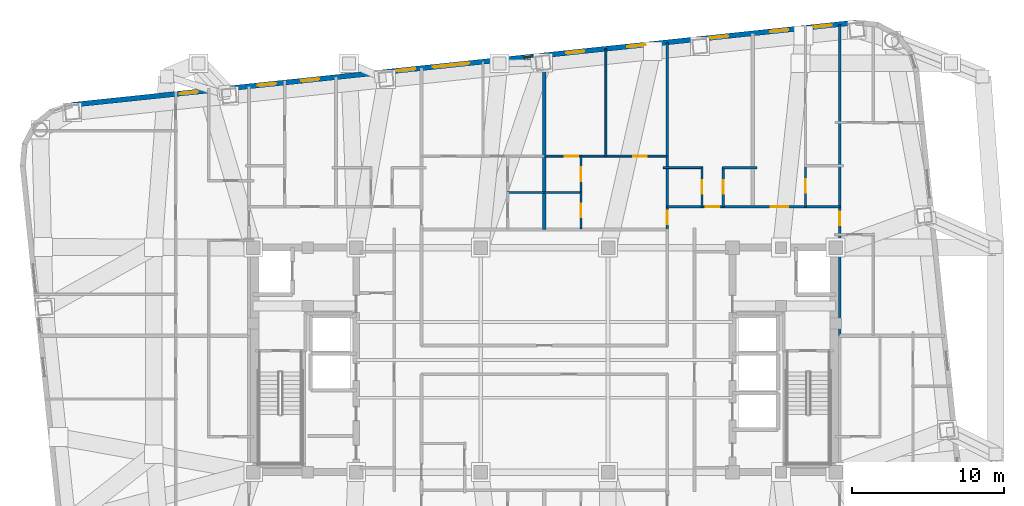
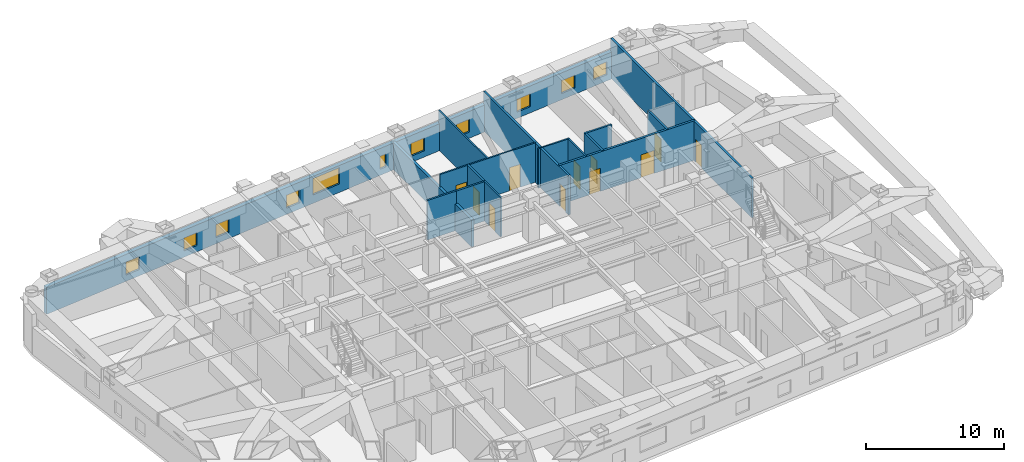
# One storey, part 10 of 13: 16 walls, 11 doors, 11 windows, 22 openings.
"""IFC4 building model written with IfcOpenShell, lengths in metres."""

from ifc_helpers import new_model, si_unit, direction, frame, frame_2d, origin, place, context, subcontext, project, spatial, rectangle, extrude, material, layer, layer_set, type_object, element, fill, save


model = new_model("IFC4")

# Units and contexts
model_context = context("Model", 3, precision=1e-05, world=origin(), true_north=direction((0.0, 1.0)))
body_context = subcontext(model_context, "Body", "Model", "MODEL_VIEW")
ifc_project = project(units=[si_unit("LENGTHUNIT", "METRE"), si_unit("AREAUNIT", "SQUARE_METRE"), si_unit("VOLUMEUNIT", "CUBIC_METRE"), si_unit("PLANEANGLEUNIT", "RADIAN"), si_unit("MASSUNIT", "GRAM", prefix="KILO")], contexts=[model_context])

# Site, building, storey
site_placement = place(None, origin())
site = spatial("IfcSite", under=ifc_project, at=site_placement, CompositionType="ELEMENT")
building_placement = place(site_placement, origin())
building = spatial("IfcBuilding", under=site, at=building_placement, Name="Voryun Gate Residences", CompositionType="ELEMENT")
storey_placement = place(building_placement, frame((0.0, 0.0, 191.10009765625)))
storey = spatial("IfcBuildingStorey", under=building, at=storey_placement, Name="L47", CompositionType="ELEMENT", Elevation=191.10009765625)

# Wall, openings, doors
ifc_material_1 = material(Name="Gypsum acoustic fireboard")
ifc_layer_1 = layer(ifc_material_1, 0.179931640625, Name="W_CORR_RATED_180")
ifc_layer_set_1 = layer_set([ifc_layer_1], Name="Gypsum acoustic fireboard")
wall_type_1 = type_object("IfcWallType", Name="W_CORR_RATED_180", PredefinedType="PARTITIONING", material=ifc_layer_set_1)
wall_1_placement = place(storey_placement, frame((8.080078125, 10.10009765625, 0.0), z_axis=(0.0, 0.0, 1.0), x_axis=(1.0, 0.0, 0.0)))
wall_1 = element("IfcWall", 1, at=wall_1_placement, inside=storey, type_object=wall_type_1, Name="Partition wall WP-L47-NCORR-E", PredefinedType="PARTITIONING", context=body_context, shape_type="SweptSolid", body=[
    extrude(rectangle(XDim=11.419921875, YDim=0.179931640625, at=frame_2d((5.7099609375, 0.0))), origin(), (0.0, 0.0, 1.0), 3.5),
])
opening_1_placement = place(wall_1_placement, frame((2.5625, 0.0, 0.0)))
opening_1 = element("IfcOpeningElement", 2, at=opening_1_placement, cuts=wall_1, Name="Opening D-INT-2", PredefinedType="OPENING", context=body_context, shape_type="SweptSolid", body=[
    extrude(rectangle(XDim=0.89990234375, YDim=2.050048828125, at=frame_2d((0.449951171875, 1.02490234375))), frame((0.0, 0.099853515625, 0.0), z_axis=(0.0, -1.0, 0.0), x_axis=(1.0, 0.0, 0.0)), (0.0, 0.0, 1.0), 0.199951171875),
])
opening_2_placement = place(wall_1_placement, frame((6.8525390625, 0.0, 0.0)))
opening_2 = element("IfcOpeningElement", 3, at=opening_2_placement, cuts=wall_1, Name="Opening D-UNIT-1", PredefinedType="OPENING", context=body_context, shape_type="SweptSolid", body=[
    extrude(rectangle(XDim=1.14990234375, YDim=2.050048828125, at=frame_2d((0.574951171875, 1.02490234375))), frame((0.0, 0.099853515625, 0.0), z_axis=(0.0, -1.0, 0.0), x_axis=(1.0, 0.0, 0.0)), (0.0, 0.0, 1.0), 0.199951171875),
])
ifc_material_2 = material(Name="Architectural oak veneer")
door_type_1 = type_object("IfcDoorType", Name="DR_INT_BATH_900", OperationType="NOTDEFINED", PredefinedType="DOOR", material=ifc_material_2)
door_1_placement = place(opening_1_placement, origin())
door_1 = element("IfcDoor", 4, at=door_1_placement, inside=storey, type_object=door_type_1, Name="Door DR-L47-NENT-4", OperationType="SINGLE_SWING_RIGHT", OverallHeight=2.050048828125, OverallWidth=0.89990234375, PredefinedType="DOOR", context=body_context, shape_type="SweptSolid", body=[
    extrude(rectangle(XDim=0.89990234375, YDim=2.050048828125, at=frame_2d((0.449951171875, 1.02490234375))), frame((0.0, 0.02490234375, 0.0), z_axis=(0.0, -1.0, 0.0), x_axis=(1.0, 0.0, 0.0)), (0.0, 0.0, 1.0), 0.050048828125),
])
fill(opening_1, door_1)
ifc_material_3 = material(Name="Armoured timber-clad fire door", Category="wood")
door_type_2 = type_object("IfcDoorType", Name="DR_UNIT_ENTRY_1150", OperationType="NOTDEFINED", PredefinedType="DOOR", material=ifc_material_3)
door_2_placement = place(opening_2_placement, origin())
door_2 = element("IfcDoor", 5, at=door_2_placement, inside=storey, type_object=door_type_2, Name="Door DR-L47-NENT-5", OperationType="SINGLE_SWING_LEFT", OverallHeight=2.050048828125, OverallWidth=1.14990234375, PredefinedType="DOOR", context=body_context, shape_type="SweptSolid", body=[
    extrude(rectangle(XDim=1.14990234375, YDim=2.050048828125, at=frame_2d((0.574951171875, 1.02490234375))), frame((0.0, 0.02490234375, 0.0), z_axis=(0.0, -1.0, 0.0), x_axis=(1.0, 0.0, 0.0)), (0.0, 0.0, 1.0), 0.050048828125),
])
fill(opening_2, door_2)

# Wall, opening, door
wall_2_placement = place(storey_placement, frame((8.10009765625, 8.590087890625, 0.0), z_axis=(0.0, 0.0, 1.0), x_axis=(0.0, 1.0, 0.0)))
wall_2 = element("IfcWall", 6, at=wall_2_placement, inside=storey, type_object=wall_type_1, Name="Partition wall WP-L47-NZV-2", PredefinedType="PARTITIONING", context=body_context, shape_type="SweptSolid", body=[
    extrude(rectangle(XDim=12.339111328125, YDim=0.179931640625, at=frame_2d((6.16943359375, 0.0))), origin(), (0.0, 0.0, 1.0), 3.5),
])
opening_3_placement = place(wall_2_placement, frame((0.349609375, 0.0, 0.0)))
opening_3 = element("IfcOpeningElement", 7, at=opening_3_placement, cuts=wall_2, Name="Opening D-INT-2", PredefinedType="OPENING", context=body_context, shape_type="SweptSolid", body=[
    extrude(rectangle(XDim=0.89990234375, YDim=2.050048828125, at=frame_2d((0.449951171875, 1.02490234375))), frame((0.0, 0.099853515625, 0.0), z_axis=(0.0, -1.0, 0.0), x_axis=(1.0, 0.0, 0.0)), (0.0, 0.0, 1.0), 0.199951171875),
])
door_3_placement = place(opening_3_placement, origin())
door_3 = element("IfcDoor", 8, at=door_3_placement, inside=storey, type_object=door_type_1, Name="Door DR-L47-NZENT-2", OperationType="SINGLE_SWING_RIGHT", OverallHeight=2.050048828125, OverallWidth=0.89990234375, PredefinedType="DOOR", context=body_context, shape_type="SweptSolid", body=[
    extrude(rectangle(XDim=0.89990234375, YDim=2.050048828125, at=frame_2d((0.449951171875, 1.02490234375))), frame((0.0, 0.02490234375, 0.0), z_axis=(0.0, -1.0, 0.0), x_axis=(1.0, 0.0, 0.0)), (0.0, 0.0, 1.0), 0.050048828125),
])
fill(opening_3, door_3)

wall_3_placement = place(storey_placement, frame((19.469970703125, 1.60009765625, 0.0), z_axis=(0.0, 0.0, 1.0), x_axis=(0.0, 1.0, 0.0)))
wall_3 = element("IfcWall", 9, at=wall_3_placement, inside=storey, type_object=wall_type_1, Name="Partition wall WP-L47-ECOR2", PredefinedType="PARTITIONING", context=body_context, shape_type="SweptSolid", body=[
    extrude(rectangle(XDim=20.52392578125, YDim=0.179931640625, at=frame_2d((10.261962890625, 0.0))), origin(), (0.0, 0.0, 1.0), 3.5),
])
opening_4_placement = place(wall_3_placement, frame((7.279296875, 0.0, 0.0)))
opening_4 = element("IfcOpeningElement", 10, at=opening_4_placement, cuts=wall_3, Name="Opening D-INT-2", PredefinedType="OPENING", context=body_context, shape_type="SweptSolid", body=[
    extrude(rectangle(XDim=0.89990234375, YDim=2.050048828125, at=frame_2d((0.449951171875, 1.02490234375))), frame((0.0, 0.099853515625, 0.0), z_axis=(0.0, -1.0, 0.0), x_axis=(1.0, 0.0, 0.0)), (0.0, 0.0, 1.0), 0.199951171875),
])
door_4_placement = place(opening_4_placement, origin())
door_4 = element("IfcDoor", 11, at=door_4_placement, inside=storey, type_object=door_type_1, Name="Door DR-L47-EE2", OperationType="SINGLE_SWING_RIGHT", OverallHeight=2.050048828125, OverallWidth=0.89990234375, PredefinedType="DOOR", context=body_context, shape_type="SweptSolid", body=[
    extrude(rectangle(XDim=0.89990234375, YDim=2.050048828125, at=frame_2d((0.449951171875, 1.02490234375))), frame((0.0, 0.02490234375, 0.0), z_axis=(0.0, -1.0, 0.0), x_axis=(1.0, 0.0, 0.0)), (0.0, 0.0, 1.0), 0.050048828125),
])
fill(opening_4, door_4)

# Wall, openings, windows
ifc_material_4 = material(Name="Charcoal terracotta masonry", Category="masonry")
ifc_layer_2 = layer(ifc_material_4, 0.340087890625, Name="W_EXT_TERRACOTTA_340")
ifc_layer_set_2 = layer_set([ifc_layer_2], Name="Charcoal terracotta masonry")
wall_type_2 = type_object("IfcWallType", Name="W_EXT_TERRACOTTA_340", PredefinedType="ELEMENTEDWALL", material=ifc_layer_set_2)
wall_4_placement = place(storey_placement, frame((-31.155517578125, 16.80322265625, 0.0), z_axis=(0.0, 0.0, 1.0), x_axis=(0.99452209583, 0.104526555986, 0.0)))
wall_4 = element("IfcWall", 12, at=wall_4_placement, inside=storey, type_object=wall_type_2, Name="Exterior wall WEXT-L47-11", PredefinedType="ELEMENTEDWALL", context=body_context, shape_type="SweptSolid", body=[
    extrude(rectangle(XDim=51.966552734375, YDim=0.340087890625, at=frame_2d((25.9833984375, 0.0))), origin(), (0.0, 0.0, 1.0), 2.389892578125),
])
opening_5_placement = place(wall_4_placement, frame((23.93310546875, 0.0, 0.75)))
opening_5 = element("IfcOpeningElement", 13, at=opening_5_placement, cuts=wall_4, Name="Opening WN2", PredefinedType="OPENING", context=body_context, shape_type="SweptSolid", body=[
    extrude(rectangle(XDim=2.39990234375, YDim=1.449951171875, at=frame_2d((1.199951171875, 0.72509765625))), frame((0.0, 0.179931640625, 0.0), z_axis=(0.0, -1.0, 0.0), x_axis=(1.0, 0.0, 0.0)), (0.0, 0.0, 1.0), 0.360107421875),
])
opening_6_placement = place(wall_4_placement, frame((15.209228515625, 0.0, 0.550048828125)))
opening_6 = element("IfcOpeningElement", 14, at=opening_6_placement, cuts=wall_4, Name="Opening WN6", PredefinedType="OPENING", context=body_context, shape_type="SweptSolid", body=[
    extrude(rectangle(XDim=1.199951171875, YDim=1.14990234375, at=frame_2d((0.60009765625, 0.574951171875))), frame((0.0, 0.179931640625, 0.0), z_axis=(0.0, -1.0, 0.0), x_axis=(1.0, 0.0, 0.0)), (0.0, 0.0, 1.0), 0.360107421875),
])
opening_7_placement = place(wall_4_placement, frame((12.33349609375, 0.0, 0.550048828125)))
opening_7 = element("IfcOpeningElement", 15, at=opening_7_placement, cuts=wall_4, Name="Opening WN6", PredefinedType="OPENING", context=body_context, shape_type="SweptSolid", body=[
    extrude(rectangle(XDim=1.199951171875, YDim=1.14990234375, at=frame_2d((0.60009765625, 0.574951171875))), frame((0.0, 0.179931640625, 0.0), z_axis=(0.0, -1.0, 0.0), x_axis=(1.0, 0.0, 0.0)), (0.0, 0.0, 1.0), 0.360107421875),
])
opening_8_placement = place(wall_4_placement, frame((21.5546875, 0.0, 0.550048828125)))
opening_8 = element("IfcOpeningElement", 16, at=opening_8_placement, cuts=wall_4, Name="Opening WN6", PredefinedType="OPENING", context=body_context, shape_type="SweptSolid", body=[
    extrude(rectangle(XDim=1.199951171875, YDim=1.14990234375, at=frame_2d((0.60009765625, 0.574951171875))), frame((0.0, 0.179931640625, 0.0), z_axis=(0.0, -1.0, 0.0), x_axis=(1.0, 0.0, 0.0)), (0.0, 0.0, 1.0), 0.360107421875),
])
opening_9_placement = place(wall_4_placement, frame((42.294921875, 0.0, 0.550048828125)))
opening_9 = element("IfcOpeningElement", 17, at=opening_9_placement, cuts=wall_4, Name="Opening WN6", PredefinedType="OPENING", context=body_context, shape_type="SweptSolid", body=[
    extrude(rectangle(XDim=1.199951171875, YDim=1.14990234375, at=frame_2d((0.60009765625, 0.574951171875))), frame((0.0, 0.179931640625, 0.0), z_axis=(0.0, -1.0, 0.0), x_axis=(1.0, 0.0, 0.0)), (0.0, 0.0, 1.0), 0.360107421875),
])
opening_10_placement = place(wall_4_placement, frame((46.2880859375, 0.0, 0.550048828125)))
opening_10 = element("IfcOpeningElement", 18, at=opening_10_placement, cuts=wall_4, Name="Opening WN6", PredefinedType="OPENING", context=body_context, shape_type="SweptSolid", body=[
    extrude(rectangle(XDim=1.199951171875, YDim=1.14990234375, at=frame_2d((0.60009765625, 0.574951171875))), frame((0.0, 0.179931640625, 0.0), z_axis=(0.0, -1.0, 0.0), x_axis=(1.0, 0.0, 0.0)), (0.0, 0.0, 1.0), 0.360107421875),
])
opening_11_placement = place(wall_4_placement, frame((49.163818359375, 0.0, 0.550048828125)))
opening_11 = element("IfcOpeningElement", 19, at=opening_11_placement, cuts=wall_4, Name="Opening WN6", PredefinedType="OPENING", context=body_context, shape_type="SweptSolid", body=[
    extrude(rectangle(XDim=1.199951171875, YDim=1.14990234375, at=frame_2d((0.60009765625, 0.574951171875))), frame((0.0, 0.179931640625, 0.0), z_axis=(0.0, -1.0, 0.0), x_axis=(1.0, 0.0, 0.0)), (0.0, 0.0, 1.0), 0.360107421875),
])
opening_12_placement = place(wall_4_placement, frame((29.983642578125, 0.0, 0.550048828125)))
opening_12 = element("IfcOpeningElement", 20, at=opening_12_placement, cuts=wall_4, Name="Opening WN10", PredefinedType="OPENING", context=body_context, shape_type="SweptSolid", body=[
    extrude(rectangle(XDim=0.52001953125, YDim=1.14990234375, at=frame_2d((0.260009765625, 0.574951171875))), frame((0.0, 0.179931640625, 0.0), z_axis=(0.0, -1.0, 0.0), x_axis=(1.0, 0.0, 0.0)), (0.0, 0.0, 1.0), 0.360107421875),
])
opening_13_placement = place(wall_4_placement, frame((32.76611328125, 0.0, 0.550048828125)))
opening_13 = element("IfcOpeningElement", 21, at=opening_13_placement, cuts=wall_4, Name="Opening WN6", PredefinedType="OPENING", context=body_context, shape_type="SweptSolid", body=[
    extrude(rectangle(XDim=1.199951171875, YDim=1.14990234375, at=frame_2d((0.60009765625, 0.574951171875))), frame((0.0, 0.179931640625, 0.0), z_axis=(0.0, -1.0, 0.0), x_axis=(1.0, 0.0, 0.0)), (0.0, 0.0, 1.0), 0.360107421875),
])
opening_14_placement = place(wall_4_placement, frame((36.828369140625, 0.0, 0.550048828125)))
opening_14 = element("IfcOpeningElement", 22, at=opening_14_placement, cuts=wall_4, Name="Opening WN6", PredefinedType="OPENING", context=body_context, shape_type="SweptSolid", body=[
    extrude(rectangle(XDim=1.199951171875, YDim=1.14990234375, at=frame_2d((0.60009765625, 0.574951171875))), frame((0.0, 0.179931640625, 0.0), z_axis=(0.0, -1.0, 0.0), x_axis=(1.0, 0.0, 0.0)), (0.0, 0.0, 1.0), 0.360107421875),
])
opening_15_placement = place(wall_4_placement, frame((7.14697265625, 0.0, 0.550048828125)))
opening_15 = element("IfcOpeningElement", 23, at=opening_15_placement, cuts=wall_4, Name="Opening WN6", PredefinedType="OPENING", context=body_context, shape_type="SweptSolid", body=[
    extrude(rectangle(XDim=1.199951171875, YDim=1.14990234375, at=frame_2d((0.60009765625, 0.574951171875))), frame((0.0, 0.179931640625, 0.0), z_axis=(0.0, -1.0, 0.0), x_axis=(1.0, 0.0, 0.0)), (0.0, 0.0, 1.0), 0.360107421875),
])
ifc_material_5 = material(Name="Laminated low-E glass", Category="glass")
window_type_1 = type_object("IfcWindowType", Name="WN_PAGODA_LANCET_520", PartitioningType="SINGLE_PANEL", PredefinedType="WINDOW", material=ifc_material_5)
window_1_placement = place(opening_12_placement, origin())
window_1 = element("IfcWindow", 24, at=window_1_placement, inside=storey, type_object=window_type_1, Name="Window WN-L47-DWFIX-07", OverallHeight=1.14990234375, OverallWidth=0.52001953125, PartitioningType="SINGLE_PANEL", PredefinedType="WINDOW", context=body_context, shape_type="SweptSolid", body=[
    extrude(rectangle(XDim=0.52001953125, YDim=1.14990234375, at=frame_2d((0.260009765625, 0.574951171875))), frame((0.0, 0.030029296875, 0.0), z_axis=(0.0, -1.0, 0.0), x_axis=(1.0, 0.0, 0.0)), (0.0, 0.0, 1.0), 0.06005859375),
])
fill(opening_12, window_1)
ifc_material_6 = material(Name="Laminated low-E glass", Category="glass")
window_type_2 = type_object("IfcWindowType", Name="WN_POD_SLOT_1200", PartitioningType="SINGLE_PANEL", PredefinedType="WINDOW", material=ifc_material_6)
window_2_placement = place(opening_6_placement, origin())
window_2 = element("IfcWindow", 25, at=window_2_placement, inside=storey, type_object=window_type_2, Name="Window WN-L47-DWFIX-01", OverallHeight=1.14990234375, OverallWidth=1.199951171875, PartitioningType="SINGLE_PANEL", PredefinedType="WINDOW", context=body_context, shape_type="SweptSolid", body=[
    extrude(rectangle(XDim=1.199951171875, YDim=1.14990234375, at=frame_2d((0.60009765625, 0.574951171875))), frame((0.0, 0.030029296875, 0.0), z_axis=(0.0, -1.0, 0.0), x_axis=(1.0, 0.0, 0.0)), (0.0, 0.0, 1.0), 0.06005859375),
])
fill(opening_6, window_2)
window_3_placement = place(opening_7_placement, origin())
window_3 = element("IfcWindow", 26, at=window_3_placement, inside=storey, type_object=window_type_2, Name="Window WN-L47-DWFIX-02", OverallHeight=1.14990234375, OverallWidth=1.199951171875, PartitioningType="SINGLE_PANEL", PredefinedType="WINDOW", context=body_context, shape_type="SweptSolid", body=[
    extrude(rectangle(XDim=1.199951171875, YDim=1.14990234375, at=frame_2d((0.60009765625, 0.574951171875))), frame((0.0, 0.030029296875, 0.0), z_axis=(0.0, -1.0, 0.0), x_axis=(1.0, 0.0, 0.0)), (0.0, 0.0, 1.0), 0.06005859375),
])
fill(opening_7, window_3)
window_4_placement = place(opening_8_placement, origin())
window_4 = element("IfcWindow", 27, at=window_4_placement, inside=storey, type_object=window_type_2, Name="Window WN-L47-DWFIX-03", OverallHeight=1.14990234375, OverallWidth=1.199951171875, PartitioningType="SINGLE_PANEL", PredefinedType="WINDOW", context=body_context, shape_type="SweptSolid", body=[
    extrude(rectangle(XDim=1.199951171875, YDim=1.14990234375, at=frame_2d((0.60009765625, 0.574951171875))), frame((0.0, 0.030029296875, 0.0), z_axis=(0.0, -1.0, 0.0), x_axis=(1.0, 0.0, 0.0)), (0.0, 0.0, 1.0), 0.06005859375),
])
fill(opening_8, window_4)
window_5_placement = place(opening_9_placement, origin())
window_5 = element("IfcWindow", 28, at=window_5_placement, inside=storey, type_object=window_type_2, Name="Window WN-L47-DWFIX-04", OverallHeight=1.14990234375, OverallWidth=1.199951171875, PartitioningType="SINGLE_PANEL", PredefinedType="WINDOW", context=body_context, shape_type="SweptSolid", body=[
    extrude(rectangle(XDim=1.199951171875, YDim=1.14990234375, at=frame_2d((0.60009765625, 0.574951171875))), frame((0.0, 0.030029296875, 0.0), z_axis=(0.0, -1.0, 0.0), x_axis=(1.0, 0.0, 0.0)), (0.0, 0.0, 1.0), 0.06005859375),
])
fill(opening_9, window_5)
window_6_placement = place(opening_10_placement, origin())
window_6 = element("IfcWindow", 29, at=window_6_placement, inside=storey, type_object=window_type_2, Name="Window WN-L47-DWFIX-05", OverallHeight=1.14990234375, OverallWidth=1.199951171875, PartitioningType="SINGLE_PANEL", PredefinedType="WINDOW", context=body_context, shape_type="SweptSolid", body=[
    extrude(rectangle(XDim=1.199951171875, YDim=1.14990234375, at=frame_2d((0.60009765625, 0.574951171875))), frame((0.0, 0.030029296875, 0.0), z_axis=(0.0, -1.0, 0.0), x_axis=(1.0, 0.0, 0.0)), (0.0, 0.0, 1.0), 0.06005859375),
])
fill(opening_10, window_6)
window_7_placement = place(opening_11_placement, origin())
window_7 = element("IfcWindow", 30, at=window_7_placement, inside=storey, type_object=window_type_2, Name="Window WN-L47-DWFIX-06", OverallHeight=1.14990234375, OverallWidth=1.199951171875, PartitioningType="SINGLE_PANEL", PredefinedType="WINDOW", context=body_context, shape_type="SweptSolid", body=[
    extrude(rectangle(XDim=1.199951171875, YDim=1.14990234375, at=frame_2d((0.60009765625, 0.574951171875))), frame((0.0, 0.030029296875, 0.0), z_axis=(0.0, -1.0, 0.0), x_axis=(1.0, 0.0, 0.0)), (0.0, 0.0, 1.0), 0.06005859375),
])
fill(opening_11, window_7)
window_8_placement = place(opening_13_placement, origin())
window_8 = element("IfcWindow", 31, at=window_8_placement, inside=storey, type_object=window_type_2, Name="Window WN-L47-DWFIX-08", OverallHeight=1.14990234375, OverallWidth=1.199951171875, PartitioningType="SINGLE_PANEL", PredefinedType="WINDOW", context=body_context, shape_type="SweptSolid", body=[
    extrude(rectangle(XDim=1.199951171875, YDim=1.14990234375, at=frame_2d((0.60009765625, 0.574951171875))), frame((0.0, 0.030029296875, 0.0), z_axis=(0.0, -1.0, 0.0), x_axis=(1.0, 0.0, 0.0)), (0.0, 0.0, 1.0), 0.06005859375),
])
fill(opening_13, window_8)
window_9_placement = place(opening_14_placement, origin())
window_9 = element("IfcWindow", 32, at=window_9_placement, inside=storey, type_object=window_type_2, Name="Window WN-L47-DWFIX-09", OverallHeight=1.14990234375, OverallWidth=1.199951171875, PartitioningType="SINGLE_PANEL", PredefinedType="WINDOW", context=body_context, shape_type="SweptSolid", body=[
    extrude(rectangle(XDim=1.199951171875, YDim=1.14990234375, at=frame_2d((0.60009765625, 0.574951171875))), frame((0.0, 0.030029296875, 0.0), z_axis=(0.0, -1.0, 0.0), x_axis=(1.0, 0.0, 0.0)), (0.0, 0.0, 1.0), 0.06005859375),
])
fill(opening_14, window_9)
window_10_placement = place(opening_15_placement, origin())
window_10 = element("IfcWindow", 33, at=window_10_placement, inside=storey, type_object=window_type_2, Name="Window WN-L47-DWFIX-23", OverallHeight=1.14990234375, OverallWidth=1.199951171875, PartitioningType="SINGLE_PANEL", PredefinedType="WINDOW", context=body_context, shape_type="SweptSolid", body=[
    extrude(rectangle(XDim=1.199951171875, YDim=1.14990234375, at=frame_2d((0.60009765625, 0.574951171875))), frame((0.0, 0.030029296875, 0.0), z_axis=(0.0, -1.0, 0.0), x_axis=(1.0, 0.0, 0.0)), (0.0, 0.0, 1.0), 0.06005859375),
])
fill(opening_15, window_10)
ifc_material_7 = material(Name="Laminated low-E glass", Category="glass")
window_type_3 = type_object("IfcWindowType", Name="WN_RES_WIDE_2400", PartitioningType="SINGLE_PANEL", PredefinedType="WINDOW", material=ifc_material_7)
window_11_placement = place(opening_5_placement, origin())
window_11 = element("IfcWindow", 34, at=window_11_placement, inside=storey, type_object=window_type_3, Name="Window WN-WEXT-L47-11-02", OverallHeight=1.449951171875, OverallWidth=2.39990234375, PartitioningType="SINGLE_PANEL", PredefinedType="WINDOW", context=body_context, shape_type="SweptSolid", body=[
    extrude(rectangle(XDim=2.39990234375, YDim=1.449951171875, at=frame_2d((1.199951171875, 0.72509765625))), frame((0.0, 0.030029296875, 0.0), z_axis=(0.0, -1.0, 0.0), x_axis=(1.0, 0.0, 0.0)), (0.0, 0.0, 1.0), 0.06005859375),
])
fill(opening_5, window_11)

# Wall
ifc_material_8 = material(Name="Concrete C40/50", Category="concrete")
ifc_layer_3 = layer(ifc_material_8, 0.219970703125, Name="W_PARTY_ACOUSTIC_220")
ifc_layer_set_3 = layer_set([ifc_layer_3], Name="Concrete C40/50")
wall_type_3 = type_object("IfcWallType", Name="W_PARTY_ACOUSTIC_220", PredefinedType="PARTITIONING", material=ifc_layer_set_3)
wall_5_placement = place(storey_placement, frame((0.0, 8.590087890625, 0.0), z_axis=(0.0, 0.0, 1.0), x_axis=(0.0, 1.0, 0.0)))
element("IfcWall", 35, at=wall_5_placement, inside=storey, type_object=wall_type_3, Name="Partition wall WP-L47-NZMID", PredefinedType="PARTITIONING", context=body_context, shape_type="SweptSolid", body=[
    extrude(rectangle(XDim=11.48779296875, YDim=0.219970703125, at=frame_2d((5.743896484375, 0.0))), origin(), (0.0, 0.0, 1.0), 2.389892578125),
])

# Wall, opening, door
ifc_material_9 = material(Name="Gypsum acoustic partition")
ifc_layer_4 = layer(ifc_material_9, 0.125, Name="W_UNIT_PART_125")
ifc_layer_set_4 = layer_set([ifc_layer_4], Name="Gypsum acoustic partition")
wall_type_4 = type_object("IfcWallType", Name="W_UNIT_PART_125", PredefinedType="PARTITIONING", material=ifc_layer_set_4)
wall_6_placement = place(storey_placement, frame((10.389892578125, 10.080078125, 0.0), z_axis=(0.0, 0.0, 1.0), x_axis=(0.0, 1.0, 0.0)))
wall_6 = element("IfcWall", 36, at=wall_6_placement, inside=storey, type_object=wall_type_4, Name="Partition wall WP-L47-N4-CVK", PredefinedType="PARTITIONING", context=body_context, shape_type="SweptSolid", body=[
    extrude(rectangle(XDim=2.64990234375, YDim=0.125, at=frame_2d((1.324951171875, 0.0))), origin(), (0.0, 0.0, 1.0), 3.5),
])
opening_16_placement = place(wall_6_placement, frame((0.875, 0.0, 0.0)))
opening_16 = element("IfcOpeningElement", 37, at=opening_16_placement, cuts=wall_6, Name="Opening D-INT-2", PredefinedType="OPENING", context=body_context, shape_type="SweptSolid", body=[
    extrude(rectangle(XDim=0.89990234375, YDim=2.050048828125, at=frame_2d((0.449951171875, 1.02490234375))), frame((0.0, 0.072509765625, 0.0), z_axis=(0.0, -1.0, 0.0), x_axis=(1.0, 0.0, 0.0)), (0.0, 0.0, 1.0), 0.14501953125),
])
door_5_placement = place(opening_16_placement, origin())
door_5 = element("IfcDoor", 38, at=door_5_placement, inside=storey, type_object=door_type_1, Name="Door DR-L47-N4-DK", OperationType="SINGLE_SWING_LEFT", OverallHeight=2.050048828125, OverallWidth=0.89990234375, PredefinedType="DOOR", context=body_context, shape_type="SweptSolid", body=[
    extrude(rectangle(XDim=0.89990234375, YDim=2.050048828125, at=frame_2d((0.449951171875, 1.02490234375))), frame((0.0, 0.02490234375, 0.0), z_axis=(0.0, -1.0, 0.0), x_axis=(1.0, 0.0, 0.0)), (0.0, 0.0, 1.0), 0.050048828125),
])
fill(opening_16, door_5)

# Wall
wall_7_placement = place(storey_placement, frame((7.820068359375, 12.669921875, 0.0), z_axis=(0.0, 0.0, 1.0), x_axis=(1.0, 0.0, 0.0)))
element("IfcWall", 39, at=wall_7_placement, inside=storey, type_object=wall_type_4, Name="Partition wall WP-L47-N4-CHK", PredefinedType="PARTITIONING", context=body_context, shape_type="SweptSolid", body=[
    extrude(rectangle(XDim=2.6298828125, YDim=0.125, at=frame_2d((1.31494140625, 0.0))), origin(), (0.0, 0.0, 1.0), 3.5),
])

# Wall, openings, doors
wall_8_placement = place(storey_placement, frame((0.02001953125, 13.429931640625, 0.0), z_axis=(0.0, 0.0, 1.0), x_axis=(1.0, 0.0, 0.0)))
wall_8 = element("IfcWall", 40, at=wall_8_placement, inside=storey, type_object=wall_type_4, Name="Partition wall WP-L47-NC2-HZ", PredefinedType="PARTITIONING", context=body_context, shape_type="SweptSolid", body=[
    extrude(rectangle(XDim=8.06005859375, YDim=0.125, at=frame_2d((4.030029296875, 0.0))), origin(), (0.0, 0.0, 1.0), 3.5),
])
opening_17_placement = place(wall_8_placement, frame((1.3232421875, 0.0, 0.0)))
opening_17 = element("IfcOpeningElement", 41, at=opening_17_placement, cuts=wall_8, Name="Opening D-INT-2", PredefinedType="OPENING", context=body_context, shape_type="SweptSolid", body=[
    extrude(rectangle(XDim=0.89990234375, YDim=2.050048828125, at=frame_2d((0.449951171875, 1.02490234375))), frame((0.0, 0.072509765625, 0.0), z_axis=(0.0, -1.0, 0.0), x_axis=(1.0, 0.0, 0.0)), (0.0, 0.0, 1.0), 0.14501953125),
])
opening_18_placement = place(wall_8_placement, frame((5.8369140625, 0.0, 0.0)))
opening_18 = element("IfcOpeningElement", 42, at=opening_18_placement, cuts=wall_8, Name="Opening D-INT-2", PredefinedType="OPENING", context=body_context, shape_type="SweptSolid", body=[
    extrude(rectangle(XDim=0.89990234375, YDim=2.050048828125, at=frame_2d((0.449951171875, 1.02490234375))), frame((0.0, 0.072509765625, 0.0), z_axis=(0.0, -1.0, 0.0), x_axis=(1.0, 0.0, 0.0)), (0.0, 0.0, 1.0), 0.14501953125),
])
door_6_placement = place(opening_17_placement, origin())
door_6 = element("IfcDoor", 43, at=door_6_placement, inside=storey, type_object=door_type_1, Name="Door DR-L47-NC2-DMB", OperationType="SINGLE_SWING_LEFT", OverallHeight=2.050048828125, OverallWidth=0.89990234375, PredefinedType="DOOR", context=body_context, shape_type="SweptSolid", body=[
    extrude(rectangle(XDim=0.89990234375, YDim=2.050048828125, at=frame_2d((0.449951171875, 1.02490234375))), frame((0.0, 0.02490234375, 0.0), z_axis=(0.0, -1.0, 0.0), x_axis=(1.0, 0.0, 0.0)), (0.0, 0.0, 1.0), 0.050048828125),
])
fill(opening_17, door_6)
door_7_placement = place(opening_18_placement, origin())
door_7 = element("IfcDoor", 44, at=door_7_placement, inside=storey, type_object=door_type_1, Name="Door DR-L47-NC2-DBD2", OperationType="SINGLE_SWING_RIGHT", OverallHeight=2.050048828125, OverallWidth=0.89990234375, PredefinedType="DOOR", context=body_context, shape_type="SweptSolid", body=[
    extrude(rectangle(XDim=0.89990234375, YDim=2.050048828125, at=frame_2d((0.449951171875, 1.02490234375))), frame((0.0, 0.02490234375, 0.0), z_axis=(0.0, -1.0, 0.0), x_axis=(1.0, 0.0, 0.0)), (0.0, 0.0, 1.0), 0.050048828125),
])
fill(opening_18, door_7)

# Wall, opening, door
wall_9_placement = place(storey_placement, frame((2.409912109375, 8.64990234375, 0.0), z_axis=(0.0, 0.0, 1.0), x_axis=(0.0, 1.0, 0.0)))
wall_9 = element("IfcWall", 45, at=wall_9_placement, inside=storey, type_object=wall_type_4, Name="Partition wall WP-L47-NC2-VK1", PredefinedType="PARTITIONING", context=body_context, shape_type="SweptSolid", body=[
    extrude(rectangle(XDim=2.41015625, YDim=0.125, at=frame_2d((1.205078125, 0.0))), origin(), (0.0, 0.0, 1.0), 3.5),
])
opening_19_placement = place(wall_9_placement, frame((0.7548828125, 0.0, 0.0)))
opening_19 = element("IfcOpeningElement", 46, at=opening_19_placement, cuts=wall_9, Name="Opening D-INT-2", PredefinedType="OPENING", context=body_context, shape_type="SweptSolid", body=[
    extrude(rectangle(XDim=0.89990234375, YDim=2.050048828125, at=frame_2d((0.449951171875, 1.02490234375))), frame((0.0, 0.072509765625, 0.0), z_axis=(0.0, -1.0, 0.0), x_axis=(1.0, 0.0, 0.0)), (0.0, 0.0, 1.0), 0.14501953125),
])
door_8_placement = place(opening_19_placement, origin())
door_8 = element("IfcDoor", 47, at=door_8_placement, inside=storey, type_object=door_type_1, Name="Door DR-L47-NC2-DK", OperationType="SINGLE_SWING_LEFT", OverallHeight=2.050048828125, OverallWidth=0.89990234375, PredefinedType="DOOR", context=body_context, shape_type="SweptSolid", body=[
    extrude(rectangle(XDim=0.89990234375, YDim=2.050048828125, at=frame_2d((0.449951171875, 1.02490234375))), frame((0.0, 0.02490234375, 0.0), z_axis=(0.0, -1.0, 0.0), x_axis=(1.0, 0.0, 0.0)), (0.0, 0.0, 1.0), 0.050048828125),
])
fill(opening_19, door_8)

# Wall
wall_10_placement = place(storey_placement, frame((4.050048828125, 13.389892578125, 0.0), z_axis=(0.0, 0.0, 1.0), x_axis=(0.0, 1.0, 0.0)))
element("IfcWall", 48, at=wall_10_placement, inside=storey, type_object=wall_type_4, Name="Partition wall WP-L47-NC2-VBD", PredefinedType="PARTITIONING", context=body_context, shape_type="SweptSolid", body=[
    extrude(rectangle(XDim=7.113525390625, YDim=0.125, at=frame_2d((3.556640625, 0.0))), origin(), (0.0, 0.0, 1.0), 3.5),
])

# Wall, opening, door
ifc_material_10 = material(Name="Gypsum moisture-resistant partition")
ifc_layer_5 = layer(ifc_material_10, 0.14990234375, Name="W_WET_PLUMB_150")
ifc_layer_set_5 = layer_set([ifc_layer_5], Name="Gypsum moisture-resistant partition")
wall_type_5 = type_object("IfcWallType", Name="W_WET_PLUMB_150", PredefinedType="PLUMBINGWALL", material=ifc_layer_set_5)
wall_11_placement = place(storey_placement, frame((11.7958984375, 10.080078125, 0.0), z_axis=(0.0, 0.0, 1.0), x_axis=(0.0, 1.0, 0.0)))
wall_11 = element("IfcWall", 49, at=wall_11_placement, inside=storey, type_object=wall_type_5, Name="Partition wall WP-L47-N4-CVB", PredefinedType="PLUMBINGWALL", context=body_context, shape_type="SweptSolid", body=[
    extrude(rectangle(XDim=2.64990234375, YDim=0.14990234375, at=frame_2d((1.324951171875, 0.0))), origin(), (0.0, 0.0, 1.0), 3.5),
])
opening_20_placement = place(wall_11_placement, frame((0.875, 0.0, 0.0)))
opening_20 = element("IfcOpeningElement", 50, at=opening_20_placement, cuts=wall_11, Name="Opening D-INT-2", PredefinedType="OPENING", context=body_context, shape_type="SweptSolid", body=[
    extrude(rectangle(XDim=0.89990234375, YDim=2.050048828125, at=frame_2d((0.449951171875, 1.02490234375))), frame((0.0, 0.0849609375, 0.0), z_axis=(0.0, -1.0, 0.0), x_axis=(1.0, 0.0, 0.0)), (0.0, 0.0, 1.0), 0.169921875),
])
door_9_placement = place(opening_20_placement, origin())
door_9 = element("IfcDoor", 51, at=door_9_placement, inside=storey, type_object=door_type_1, Name="Door DR-L47-N4-DB", OperationType="SINGLE_SWING_RIGHT", OverallHeight=2.050048828125, OverallWidth=0.89990234375, PredefinedType="DOOR", context=body_context, shape_type="SweptSolid", body=[
    extrude(rectangle(XDim=0.89990234375, YDim=2.050048828125, at=frame_2d((0.449951171875, 1.02490234375))), frame((0.0, 0.02490234375, 0.0), z_axis=(0.0, -1.0, 0.0), x_axis=(1.0, 0.0, 0.0)), (0.0, 0.0, 1.0), 0.050048828125),
])
fill(opening_20, door_9)

# Wall
wall_12_placement = place(storey_placement, frame((11.736083984375, 12.669921875, 0.0), z_axis=(0.0, 0.0, 1.0), x_axis=(1.0, 0.0, 0.0)))
element("IfcWall", 52, at=wall_12_placement, inside=storey, type_object=wall_type_5, Name="Partition wall WP-L47-N4-CHB", PredefinedType="PLUMBINGWALL", context=body_context, shape_type="SweptSolid", body=[
    extrude(rectangle(XDim=2.263916015625, YDim=0.14990234375, at=frame_2d((1.1318359375, 0.0))), origin(), (0.0, 0.0, 1.0), 3.5),
])

# Wall, opening, door
wall_13_placement = place(storey_placement, frame((17.216064453125, 10.080078125, 0.0), z_axis=(0.0, 0.0, 1.0), x_axis=(0.0, 1.0, 0.0)))
wall_13 = element("IfcWall", 53, at=wall_13_placement, inside=storey, type_object=wall_type_5, Name="Partition wall WP-L47-N5-SVT1", PredefinedType="PLUMBINGWALL", context=body_context, shape_type="SweptSolid", body=[
    extrude(rectangle(XDim=2.760009765625, YDim=0.14990234375, at=frame_2d((1.3798828125, 0.0))), origin(), (0.0, 0.0, 1.0), 3.5),
])
opening_21_placement = place(wall_13_placement, frame((0.929931640625, 0.0, 0.0)))
opening_21 = element("IfcOpeningElement", 54, at=opening_21_placement, cuts=wall_13, Name="Opening D-INT-2", PredefinedType="OPENING", context=body_context, shape_type="SweptSolid", body=[
    extrude(rectangle(XDim=0.89990234375, YDim=2.050048828125, at=frame_2d((0.449951171875, 1.02490234375))), frame((0.0, 0.0849609375, 0.0), z_axis=(0.0, -1.0, 0.0), x_axis=(1.0, 0.0, 0.0)), (0.0, 0.0, 1.0), 0.169921875),
])
door_10_placement = place(opening_21_placement, origin())
door_10 = element("IfcDoor", 55, at=door_10_placement, inside=storey, type_object=door_type_1, Name="Door DR-L47-N5-DB", OperationType="SINGLE_SWING_LEFT", OverallHeight=2.050048828125, OverallWidth=0.89990234375, PredefinedType="DOOR", context=body_context, shape_type="SweptSolid", body=[
    extrude(rectangle(XDim=0.89990234375, YDim=2.050048828125, at=frame_2d((0.449951171875, 1.02490234375))), frame((0.0, 0.02490234375, 0.0), z_axis=(0.0, -1.0, 0.0), x_axis=(1.0, 0.0, 0.0)), (0.0, 0.0, 1.0), 0.050048828125),
])
fill(opening_21, door_10)

# Wall
wall_14_placement = place(storey_placement, frame((-2.449951171875, 11.030029296875, 0.0), z_axis=(0.0, 0.0, 1.0), x_axis=(1.0, 0.0, 0.0)))
element("IfcWall", 56, at=wall_14_placement, inside=storey, type_object=wall_type_5, Name="Partition wall WP-L47-NC1-HKB", PredefinedType="PLUMBINGWALL", context=body_context, shape_type="SweptSolid", body=[
    extrude(rectangle(XDim=2.429931640625, YDim=0.14990234375, at=frame_2d((1.21484375, 0.0))), origin(), (0.0, 0.0, 1.0), 3.5),
])

# Wall, opening, door
wall_15_placement = place(storey_placement, frame((2.409912109375, 11.0, 0.0), z_axis=(0.0, 0.0, 1.0), x_axis=(0.0, 1.0, 0.0)))
wall_15 = element("IfcWall", 57, at=wall_15_placement, inside=storey, type_object=wall_type_5, Name="Partition wall WP-L47-NC2-VK2", PredefinedType="PLUMBINGWALL", context=body_context, shape_type="SweptSolid", body=[
    extrude(rectangle(XDim=2.469970703125, YDim=0.14990234375, at=frame_2d((1.23486328125, 0.0))), origin(), (0.0, 0.0, 1.0), 3.5),
])
opening_22_placement = place(wall_15_placement, frame((0.784912109375, 0.0, 0.0)))
opening_22 = element("IfcOpeningElement", 58, at=opening_22_placement, cuts=wall_15, Name="Opening D-INT-2", PredefinedType="OPENING", context=body_context, shape_type="SweptSolid", body=[
    extrude(rectangle(XDim=0.89990234375, YDim=2.050048828125, at=frame_2d((0.449951171875, 1.02490234375))), frame((0.0, 0.0849609375, 0.0), z_axis=(0.0, -1.0, 0.0), x_axis=(1.0, 0.0, 0.0)), (0.0, 0.0, 1.0), 0.169921875),
])
door_11_placement = place(opening_22_placement, origin())
door_11 = element("IfcDoor", 59, at=door_11_placement, inside=storey, type_object=door_type_1, Name="Door DR-L47-NC2-DB", OperationType="SINGLE_SWING_RIGHT", OverallHeight=2.050048828125, OverallWidth=0.89990234375, PredefinedType="DOOR", context=body_context, shape_type="SweptSolid", body=[
    extrude(rectangle(XDim=0.89990234375, YDim=2.050048828125, at=frame_2d((0.449951171875, 1.02490234375))), frame((0.0, 0.02490234375, 0.0), z_axis=(0.0, -1.0, 0.0), x_axis=(1.0, 0.0, 0.0)), (0.0, 0.0, 1.0), 0.050048828125),
])
fill(opening_22, door_11)

# Wall
wall_16_placement = place(storey_placement, frame((0.02001953125, 11.030029296875, 0.0), z_axis=(0.0, 0.0, 1.0), x_axis=(1.0, 0.0, 0.0)))
element("IfcWall", 60, at=wall_16_placement, inside=storey, type_object=wall_type_5, Name="Partition wall WP-L47-NC2-HKB", PredefinedType="PLUMBINGWALL", context=body_context, shape_type="SweptSolid", body=[
    extrude(rectangle(XDim=2.429931640625, YDim=0.14990234375, at=frame_2d((1.21484375, 0.0))), origin(), (0.0, 0.0, 1.0), 3.5),
])

save(model, "model.ifc")
